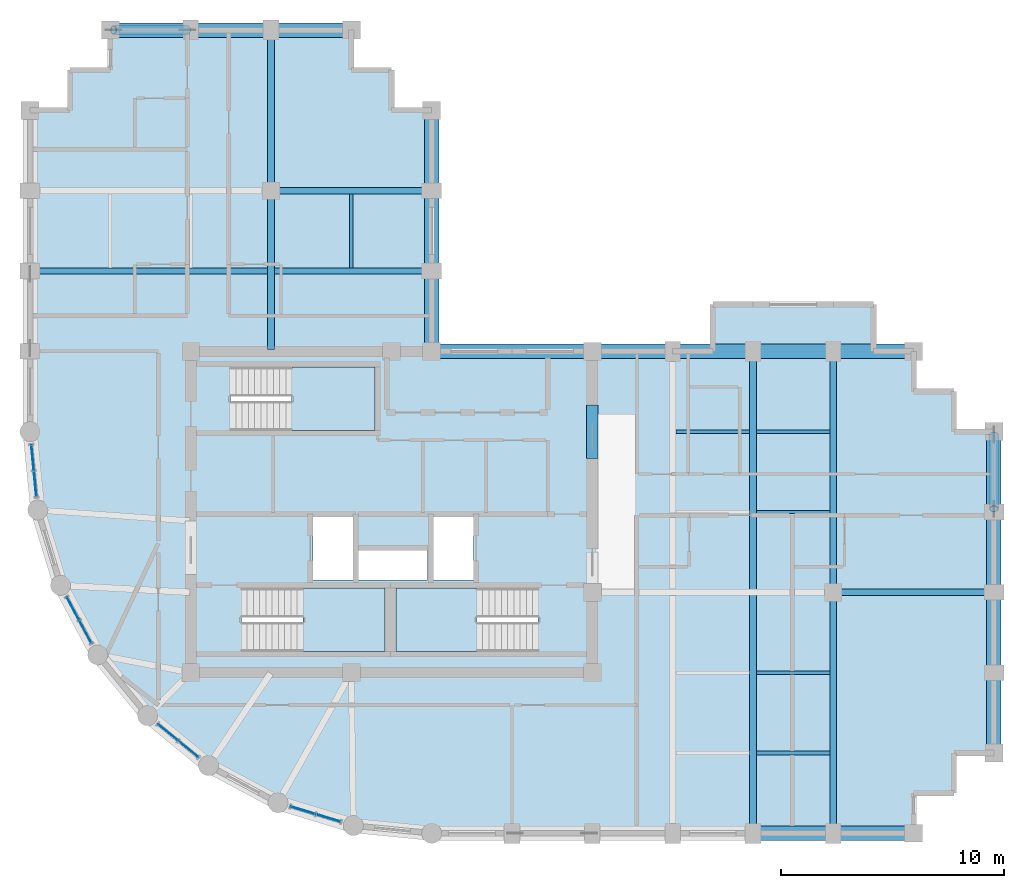
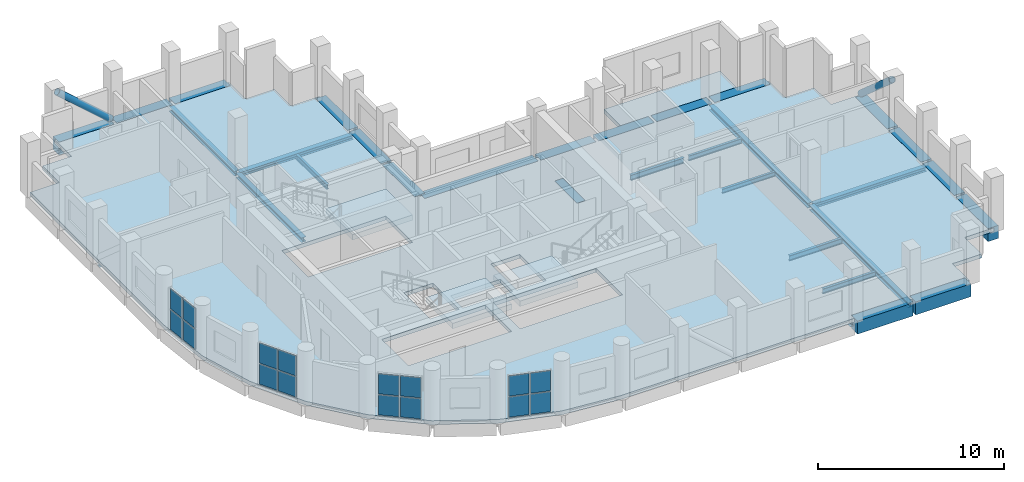
# One storey, part 6 of 11: 32 beams, 16 plates, 4 slabs, 2 members, 7 elements without a shape of their own.
"""IFC4 building model written with IfcOpenShell, lengths in metres."""

from ifc_helpers import new_model, si_unit, direction, frame, origin, origin_2d, place, context, subcontext, project, spatial, polyline, rectangle, hollow_circle, i_section, outline, extrude, material, layer, layer_set, material_profile, profile_set, type_object, element, aggregate, save


model = new_model("IFC4")

# Units and contexts
model_context = context("Model", 3, precision=1e-05, world=origin(), true_north=direction((0.0, 1.0)))
body_context = subcontext(model_context, "Body", "Model", "MODEL_VIEW")
ifc_project = project(units=[si_unit("LENGTHUNIT", "METRE"), si_unit("AREAUNIT", "SQUARE_METRE"), si_unit("VOLUMEUNIT", "CUBIC_METRE"), si_unit("PLANEANGLEUNIT", "RADIAN"), si_unit("MASSUNIT", "GRAM", prefix="KILO")], contexts=[model_context])

# Site, building, storey
site_placement = place(None, origin())
site = spatial("IfcSite", under=ifc_project, at=site_placement, CompositionType="ELEMENT")
building_placement = place(site_placement, origin())
building = spatial("IfcBuilding", under=site, at=building_placement, Name="Solnavia Interchange Tower", CompositionType="ELEMENT")
storey_placement = place(building_placement, frame((0.0, 0.0, 217.39990234375)))
storey = spatial("IfcBuildingStorey", under=building, at=storey_placement, Name="L54", CompositionType="ELEMENT", Elevation=217.39990234375)

# Beams
ifc_material_1 = material(Name="Concrete C50/60", Category="concrete")
ifc_material_profile_1 = material_profile(ifc_material_1, rectangle(XDim=0.5, YDim=0.800048828125, at=origin_2d()), Name="RC 500x800")
ifc_profile_set_1 = profile_set([ifc_material_profile_1], Name="Concrete C50/60")
beam_type_1 = type_object("IfcBeamType", Name="Beam-Coupling-RC500x800", PredefinedType="LINTEL", material=ifc_profile_set_1)
beam_1_placement = place(storey_placement, frame((32.39990234375, 20.39990234375, -0.39990234375), z_axis=(0.0, 1.0, 0.0), x_axis=(-1.0, 0.0, 0.0)))
element("IfcBeam", 1, at=beam_1_placement, inside=storey, type_object=beam_type_1, Name="CPB-L54-E2 Core coupling lintel beam", PredefinedType="LINTEL", context=body_context, shape_type="SweptSolid", body=[
    extrude(rectangle(XDim=0.5, YDim=0.800048828125, at=origin_2d()), origin(), (0.0, 0.0, 1.0), 2.400146484375),
])
ifc_material_2 = material(Name="Steel S460", Category="steel")
ifc_material_profile_2 = material_profile(ifc_material_2, i_section(OverallWidth=0.300048828125, OverallDepth=0.300048828125, WebThickness=0.010986328125, FlangeThickness=0.01904296875, FilletRadius=0.027099609375, at=origin_2d()), Name="HEB 300")
ifc_profile_set_2 = profile_set([ifc_material_profile_2], Name="Steel S460")
beam_type_2 = type_object("IfcBeamType", Name="Beam-Girder-HEB300", PredefinedType="BEAM", material=ifc_profile_set_2)
beam_2_placement = place(storey_placement, frame((43.280029296875, 14.39990234375, -0.39990234375), z_axis=(1.0, 0.0, 0.0), x_axis=(0.0, 1.0, 0.0)))
element("IfcBeam", 2, at=beam_2_placement, inside=storey, type_object=beam_type_2, Name="GRD-L54-ES02 East wing spine girder", PredefinedType="BEAM", context=body_context, shape_type="SweptSolid", body=[
    extrude(i_section(OverallWidth=0.300048828125, OverallDepth=0.300048828125, WebThickness=0.010986328125, FlangeThickness=0.01904296875, FilletRadius=0.027099609375, at=origin_2d()), origin(), (0.0, 0.0, 1.0), 7.0400390625),
])
beam_3_placement = place(storey_placement, frame((39.60009765625, 3.679931640625, -0.39990234375), z_axis=(0.0, 1.0, 0.0), x_axis=(-1.0, 0.0, 0.0)))
element("IfcBeam", 3, at=beam_3_placement, inside=storey, type_object=beam_type_2, Name="GRD-L54-EW04 East wing primary floor girder", PredefinedType="BEAM", context=body_context, shape_type="SweptSolid", body=[
    extrude(i_section(OverallWidth=0.300048828125, OverallDepth=0.300048828125, WebThickness=0.010986328125, FlangeThickness=0.01904296875, FilletRadius=0.027099609375, at=origin_2d()), origin(), (0.0, 0.0, 1.0), 21.440185546875),
])
for number, where, z_axis, x_axis, name in (
    (4, (18.0, 25.280029296875, -0.39990234375), (0.0, 1.0, 0.0), (-1.0, 0.0, 0.0), "GRD-L54-NS07 North wing spine girder"),
    (5, (18.0, 32.47998046875, -0.39990234375), (0.0, 1.0, 0.0), (-1.0, 0.0, 0.0), "GRD-L54-NS08 North wing spine girder"),
    (6, (18.080078125, 32.39990234375, -0.39990234375), (1.0, 0.0, 0.0), (0.0, 1.0, 0.0), "GRD-L54-NW11 North wing primary floor girder"),
):
    element("IfcBeam", number, at=place(storey_placement, frame(where, z_axis=z_axis, x_axis=x_axis)), inside=storey, type_object=beam_type_2, Name=name, PredefinedType="BEAM", context=body_context, shape_type="SweptSolid", body=[
        extrude(i_section(OverallWidth=0.300048828125, OverallDepth=0.300048828125, WebThickness=0.010986328125, FlangeThickness=0.01904296875, FilletRadius=0.027099609375, at=origin_2d()), origin(), (0.0, 0.0, 1.0), 7.0400390625),
    ])
ifc_material_3 = material(Name="Steel S355", Category="steel")
ifc_material_profile_3 = material_profile(ifc_material_3, i_section(OverallWidth=0.14990234375, OverallDepth=0.300048828125, WebThickness=0.007080078125, FlangeThickness=0.0107421875, FilletRadius=0.014892578125, at=origin_2d()), Name="IPE 300")
ifc_profile_set_3 = profile_set([ifc_material_profile_3], Name="Steel S355")
beam_type_3 = type_object("IfcBeamType", Name="Beam-Joist-IPE300", PredefinedType="JOIST", material=ifc_profile_set_3)
beam_4_placement = place(storey_placement, frame((39.75, 18.0, -0.39990234375), z_axis=(1.0, 0.0, 0.0), x_axis=(0.0, 1.0, 0.0)))
element("IfcBeam", 7, at=beam_4_placement, inside=storey, type_object=beam_type_3, Name="JST-L54-E06 East wing secondary joist", PredefinedType="JOIST", context=body_context, shape_type="SweptSolid", body=[
    extrude(i_section(OverallWidth=0.14990234375, OverallDepth=0.300048828125, WebThickness=0.007080078125, FlangeThickness=0.0107421875, FilletRadius=0.014892578125, at=origin_2d()), origin(), (0.0, 0.0, 1.0), 3.300048828125),
])
ifc_material_profile_4 = material_profile(ifc_material_3, i_section(OverallWidth=0.159912109375, OverallDepth=0.330078125, WebThickness=0.007568359375, FlangeThickness=0.011474609375, FilletRadius=0.01806640625, at=origin_2d()), Name="IPE 330")
ifc_profile_set_4 = profile_set([ifc_material_profile_4], Name="Steel S355")
beam_type_4 = type_object("IfcBeamType", Name="Beam-Joist-IPE330", PredefinedType="JOIST", material=ifc_profile_set_4)
for number, where, z_axis, x_axis, name in (
    (8, (39.75, 7.199951171875, -0.414794921875), (1.0, 0.0, 0.0), (0.0, 1.0, 0.0), "JST-L54-E02 East wing secondary joist"),
    (9, (39.75, 21.60009765625, -0.414794921875), (1.0, 0.0, 0.0), (0.0, 1.0, 0.0), "JST-L54-E08 East wing secondary joist"),
):
    element("IfcBeam", number, at=place(storey_placement, frame(where, z_axis=z_axis, x_axis=x_axis)), inside=storey, type_object=beam_type_4, Name=name, PredefinedType="JOIST", context=body_context, shape_type="SweptSolid", body=[
        extrude(i_section(OverallWidth=0.159912109375, OverallDepth=0.330078125, WebThickness=0.007568359375, FlangeThickness=0.011474609375, FilletRadius=0.01806640625, at=origin_2d()), origin(), (0.0, 0.0, 1.0), 3.300048828125),
    ])
beam_5_placement = place(storey_placement, frame((21.60009765625, 28.93994140625, -0.414794921875), z_axis=(0.0, 1.0, 0.0), x_axis=(-1.0, 0.0, 0.0)))
element("IfcBeam", 10, at=beam_5_placement, inside=storey, type_object=beam_type_4, Name="JST-L54-N11 North wing secondary joist", PredefinedType="JOIST", context=body_context, shape_type="SweptSolid", body=[
    extrude(i_section(OverallWidth=0.159912109375, OverallDepth=0.330078125, WebThickness=0.007568359375, FlangeThickness=0.011474609375, FilletRadius=0.01806640625, at=origin_2d()), origin(), (0.0, 0.0, 1.0), 3.31005859375),
])
ifc_material_profile_5 = material_profile(ifc_material_3, i_section(OverallWidth=0.169921875, OverallDepth=0.360107421875, WebThickness=0.008056640625, FlangeThickness=0.0126953125, FilletRadius=0.01806640625, at=origin_2d()), Name="IPE 360")
ifc_profile_set_5 = profile_set([ifc_material_profile_5], Name="Steel S355")
beam_type_5 = type_object("IfcBeamType", Name="Beam-Joist-IPE360", PredefinedType="JOIST", material=ifc_profile_set_5)
beam_6_placement = place(storey_placement, frame((39.75, 10.800048828125, -0.429931640625), z_axis=(1.0, 0.0, 0.0), x_axis=(0.0, 1.0, 0.0)))
element("IfcBeam", 11, at=beam_6_placement, inside=storey, type_object=beam_type_5, Name="JST-L54-E04 East wing secondary joist", PredefinedType="JOIST", context=body_context, shape_type="SweptSolid", body=[
    extrude(i_section(OverallWidth=0.169921875, OverallDepth=0.360107421875, WebThickness=0.008056640625, FlangeThickness=0.0126953125, FilletRadius=0.01806640625, at=origin_2d()), origin(), (0.0, 0.0, 1.0), 3.300048828125),
])
beam_7_placement = place(storey_placement, frame((36.139892578125, 21.60009765625, -0.429931640625), z_axis=(1.0, 0.0, 0.0), x_axis=(0.0, 1.0, 0.0)))
element("IfcBeam", 12, at=beam_7_placement, inside=storey, type_object=beam_type_5, Name="JST-L54-E07 East wing secondary joist", PredefinedType="JOIST", context=body_context, shape_type="SweptSolid", body=[
    extrude(i_section(OverallWidth=0.169921875, OverallDepth=0.360107421875, WebThickness=0.008056640625, FlangeThickness=0.0126953125, FilletRadius=0.01806640625, at=origin_2d()), origin(), (0.0, 0.0, 1.0), 3.31005859375),
])
ifc_material_profile_6 = material_profile(ifc_material_3, i_section(OverallWidth=0.280029296875, OverallDepth=0.27001953125, WebThickness=0.008056640625, FlangeThickness=0.012939453125, FilletRadius=0.02392578125, at=origin_2d()), Name="HEA 280")
ifc_profile_set_6 = profile_set([ifc_material_profile_6], Name="Steel S355")
beam_type_6 = type_object("IfcBeamType", Name="Beam-Primary-HEA280", PredefinedType="BEAM", material=ifc_profile_set_6)
beam_8_placement = place(storey_placement, frame((7.280029296875, 28.800048828125, -0.385009765625), z_axis=(1.0, 0.0, 0.0), x_axis=(0.0, 1.0, 0.0)))
element("IfcBeam", 13, at=beam_8_placement, inside=storey, type_object=beam_type_6, Name="GRD-L54-NW09 North wing primary floor girder", PredefinedType="BEAM", context=body_context, shape_type="SweptSolid", body=[
    extrude(i_section(OverallWidth=0.280029296875, OverallDepth=0.27001953125, WebThickness=0.008056640625, FlangeThickness=0.012939453125, FilletRadius=0.02392578125, at=origin_2d()), origin(), (0.0, 0.0, 1.0), 17.840087890625),
])
ifc_material_profile_7 = material_profile(ifc_material_3, i_section(OverallWidth=0.300048828125, OverallDepth=0.31005859375, WebThickness=0.009033203125, FlangeThickness=0.015380859375, FilletRadius=0.027099609375, at=origin_2d()), Name="HEA 320")
ifc_profile_set_7 = profile_set([ifc_material_profile_7], Name="Steel S355")
beam_type_7 = type_object("IfcBeamType", Name="Beam-Primary-HEA320", PredefinedType="BEAM", material=ifc_profile_set_7)
for number, where, z_axis, x_axis, name in (
    (14, (43.199951171875, 3.679931640625, -0.40478515625), (0.0, 1.0, 0.0), (-1.0, 0.0, 0.0), "GRD-L54-EW05 East wing primary floor girder"),
    (15, (43.199951171875, 14.47998046875, -0.40478515625), (0.0, 1.0, 0.0), (-1.0, 0.0, 0.0), "GRD-L54-EW06 East wing primary floor girder"),
):
    element("IfcBeam", number, at=place(storey_placement, frame(where, z_axis=z_axis, x_axis=x_axis)), inside=storey, type_object=beam_type_7, Name=name, PredefinedType="BEAM", context=body_context, shape_type="SweptSolid", body=[
        extrude(i_section(OverallWidth=0.300048828125, OverallDepth=0.31005859375, WebThickness=0.009033203125, FlangeThickness=0.015380859375, FilletRadius=0.027099609375, at=origin_2d()), origin(), (0.0, 0.0, 1.0), 10.64013671875),
    ])
ifc_material_profile_8 = material_profile(ifc_material_1, rectangle(XDim=0.64990234375, YDim=0.85009765625, at=origin_2d()), Name="RC 650x850")
ifc_profile_set_8 = profile_set([ifc_material_profile_8], Name="Concrete C50/60")
beam_type_8 = type_object("IfcBeamType", Name="Beam-Spandrel-RC650x850", PredefinedType="SPANDREL", material=ifc_profile_set_8)
beam_9_placement = place(storey_placement, frame((39.679931640625, 3.60009765625, -0.4248046875), z_axis=(1.0, 0.0, 0.0), x_axis=(0.0, 1.0, 0.0)))
element("IfcBeam", 16, at=beam_9_placement, inside=storey, type_object=beam_type_8, Name="SPB-L54-13 Framed-tube perimeter spandrel beam", PredefinedType="SPANDREL", context=body_context, shape_type="SweptSolid", body=[
    extrude(rectangle(XDim=0.64990234375, YDim=0.85009765625, at=origin_2d()), origin(), (0.0, 0.0, 1.0), 3.440185546875),
])
for number, where, z_axis, x_axis, name in (
    (17, (43.280029296875, 3.60009765625, -0.4248046875), (1.0, 0.0, 0.0), (0.0, 1.0, 0.0), "SPB-L54-14 Framed-tube perimeter spandrel beam"),
    (18, (50.39990234375, 7.280029296875, -0.4248046875), (0.0, 1.0, 0.0), (-1.0, 0.0, 0.0), "SPB-L54-15 Framed-tube perimeter spandrel beam"),
):
    element("IfcBeam", number, at=place(storey_placement, frame(where, z_axis=z_axis, x_axis=x_axis)), inside=storey, type_object=beam_type_8, Name=name, PredefinedType="SPANDREL", context=body_context, shape_type="SweptSolid", body=[
        extrude(rectangle(XDim=0.64990234375, YDim=0.85009765625, at=origin_2d()), origin(), (0.0, 0.0, 1.0), 3.43994140625),
    ])
beam_10_placement = place(storey_placement, frame((50.39990234375, 10.8798828125, -0.4248046875), z_axis=(0.0, 1.0, 0.0), x_axis=(-1.0, 0.0, 0.0)))
element("IfcBeam", 19, at=beam_10_placement, inside=storey, type_object=beam_type_8, Name="SPB-L54-16 Framed-tube perimeter spandrel beam", PredefinedType="SPANDREL", context=body_context, shape_type="SweptSolid", body=[
    extrude(rectangle(XDim=0.64990234375, YDim=0.85009765625, at=origin_2d()), origin(), (0.0, 0.0, 1.0), 3.440185546875),
])
for number, where, z_axis, x_axis, name in (
    (20, (50.39990234375, 14.47998046875, -0.4248046875), (0.0, 1.0, 0.0), (-1.0, 0.0, 0.0), "SPB-L54-17 Framed-tube perimeter spandrel beam"),
    (21, (50.39990234375, 18.080078125, -0.4248046875), (0.0, 1.0, 0.0), (-1.0, 0.0, 0.0), "SPB-L54-18 Framed-tube perimeter spandrel beam"),
    (22, (46.719970703125, 25.199951171875, -0.4248046875), (-1.0, 0.0, 0.0), (0.0, -1.0, 0.0), "SPB-L54-19 Framed-tube perimeter spandrel beam"),
):
    element("IfcBeam", number, at=place(storey_placement, frame(where, z_axis=z_axis, x_axis=x_axis)), inside=storey, type_object=beam_type_8, Name=name, PredefinedType="SPANDREL", context=body_context, shape_type="SweptSolid", body=[
        extrude(rectangle(XDim=0.64990234375, YDim=0.85009765625, at=origin_2d()), origin(), (0.0, 0.0, 1.0), 3.43994140625),
    ])
beam_11_placement = place(storey_placement, frame((43.1201171875, 25.199951171875, -0.4248046875), z_axis=(-1.0, 0.0, 0.0), x_axis=(0.0, -1.0, 0.0)))
element("IfcBeam", 23, at=beam_11_placement, inside=storey, type_object=beam_type_8, Name="SPB-L54-20 Framed-tube perimeter spandrel beam", PredefinedType="SPANDREL", context=body_context, shape_type="SweptSolid", body=[
    extrude(rectangle(XDim=0.64990234375, YDim=0.85009765625, at=origin_2d()), origin(), (0.0, 0.0, 1.0), 3.440185546875),
])
for number, where, z_axis, x_axis, name in (
    (24, (39.52001953125, 25.199951171875, -0.4248046875), (-1.0, 0.0, 0.0), (0.0, -1.0, 0.0), "SPB-L54-21 Framed-tube perimeter spandrel beam"),
    (25, (35.919921875, 25.199951171875, -0.4248046875), (-1.0, 0.0, 0.0), (0.0, -1.0, 0.0), "SPB-L54-22 Framed-tube perimeter spandrel beam"),
):
    element("IfcBeam", number, at=place(storey_placement, frame(where, z_axis=z_axis, x_axis=x_axis)), inside=storey, type_object=beam_type_8, Name=name, PredefinedType="SPANDREL", context=body_context, shape_type="SweptSolid", body=[
        extrude(rectangle(XDim=0.64990234375, YDim=0.85009765625, at=origin_2d()), origin(), (0.0, 0.0, 1.0), 3.43994140625),
    ])
beam_12_placement = place(storey_placement, frame((32.320068359375, 25.199951171875, -0.4248046875), z_axis=(-1.0, 0.0, 0.0), x_axis=(0.0, -1.0, 0.0)))
element("IfcBeam", 26, at=beam_12_placement, inside=storey, type_object=beam_type_8, Name="SPB-L54-23 Framed-tube perimeter spandrel beam", PredefinedType="SPANDREL", context=body_context, shape_type="SweptSolid", body=[
    extrude(rectangle(XDim=0.64990234375, YDim=0.85009765625, at=origin_2d()), origin(), (0.0, 0.0, 1.0), 7.0400390625),
])
beam_13_placement = place(storey_placement, frame((25.199951171875, 25.280029296875, -0.4248046875), z_axis=(0.0, 1.0, 0.0), x_axis=(-1.0, 0.0, 0.0)))
element("IfcBeam", 27, at=beam_13_placement, inside=storey, type_object=beam_type_8, Name="SPB-L54-24 Framed-tube perimeter spandrel beam", PredefinedType="SPANDREL", context=body_context, shape_type="SweptSolid", body=[
    extrude(rectangle(XDim=0.64990234375, YDim=0.85009765625, at=origin_2d()), origin(), (0.0, 0.0, 1.0), 3.43994140625),
])
beam_14_placement = place(storey_placement, frame((25.199951171875, 28.8798828125, -0.4248046875), z_axis=(0.0, 1.0, 0.0), x_axis=(-1.0, 0.0, 0.0)))
element("IfcBeam", 28, at=beam_14_placement, inside=storey, type_object=beam_type_8, Name="SPB-L54-25 Framed-tube perimeter spandrel beam", PredefinedType="SPANDREL", context=body_context, shape_type="SweptSolid", body=[
    extrude(rectangle(XDim=0.64990234375, YDim=0.85009765625, at=origin_2d()), origin(), (0.0, 0.0, 1.0), 3.440185546875),
])
for number, where, z_axis, x_axis, name in (
    (29, (25.199951171875, 32.47998046875, -0.4248046875), (0.0, 1.0, 0.0), (-1.0, 0.0, 0.0), "SPB-L54-26 Framed-tube perimeter spandrel beam"),
    (30, (21.52001953125, 39.60009765625, -0.4248046875), (-1.0, 0.0, 0.0), (0.0, -1.0, 0.0), "SPB-L54-27 Framed-tube perimeter spandrel beam"),
    (31, (17.919921875, 39.60009765625, -0.4248046875), (-1.0, 0.0, 0.0), (0.0, -1.0, 0.0), "SPB-L54-28 Framed-tube perimeter spandrel beam"),
):
    element("IfcBeam", number, at=place(storey_placement, frame(where, z_axis=z_axis, x_axis=x_axis)), inside=storey, type_object=beam_type_8, Name=name, PredefinedType="SPANDREL", context=body_context, shape_type="SweptSolid", body=[
        extrude(rectangle(XDim=0.64990234375, YDim=0.85009765625, at=origin_2d()), origin(), (0.0, 0.0, 1.0), 3.43994140625),
    ])
beam_15_placement = place(storey_placement, frame((14.320068359375, 39.60009765625, -0.4248046875), z_axis=(-1.0, 0.0, 0.0), x_axis=(0.0, -1.0, 0.0)))
element("IfcBeam", 32, at=beam_15_placement, inside=storey, type_object=beam_type_8, Name="SPB-L54-29 Framed-tube perimeter spandrel beam", PredefinedType="SPANDREL", context=body_context, shape_type="SweptSolid", body=[
    extrude(rectangle(XDim=0.64990234375, YDim=0.85009765625, at=origin_2d()), origin(), (0.0, 0.0, 1.0), 3.440185546875),
])

# Members
ifc_material_profile_9 = material_profile(ifc_material_2, hollow_circle(Radius=0.203125, WallThickness=0.02001953125, at=origin_2d()), Name="CHS 406.4x20")
ifc_profile_set_9 = profile_set([ifc_material_profile_9], Name="Steel S460")
member_type = type_object("IfcMemberType", Name="Brace-Perim-CHS406", PredefinedType="BRACE", material=ifc_profile_set_9)
for number, where, z_axis, x_axis, name in (
    (33, (50.39990234375, 21.4599609375, 0.18017578125), (0.0, -0.750908464718, 0.660406297377), (1.0, 0.0, 0.0), "BRC-L54-03 Perimeter tube diagonal brace"),
    (34, (14.260009765625, 39.60009765625, 0.18017578125), (-0.750908464718, 0.0, 0.660406297377), (0.0, -1.0, 0.0), "BRC-L54-04 Perimeter tube diagonal brace"),
):
    element("IfcMember", number, at=place(storey_placement, frame(where, z_axis=z_axis, x_axis=x_axis)), inside=storey, type_object=member_type, Name=name, PredefinedType="BRACE", context=body_context, shape_type="SweptSolid", body=[
        extrude(hollow_circle(Radius=0.203125, WallThickness=0.02001953125, at=origin_2d()), origin(), (0.0, 0.0, 1.0), 4.42138671875),
    ])

# Curtain wall, plates
ifc_material_4 = material(Name="Aluminium Alloy 6063-T6", Category="aluminium")
ifc_layer_1 = layer(ifc_material_4, 0.239990234375)
ifc_layer_set_1 = layer_set([ifc_layer_1], Name="Aluminium Alloy 6063-T6")
curtain_wall_type = type_object("IfcCurtainWallType", Name="CurtainWall-Drum-CTW2", PredefinedType="NOTDEFINED", material=ifc_layer_set_1)
curtain_wall_1_placement = place(storey_placement, origin())
curtain_wall_1 = element("IfcCurtainWall", 35, at=curtain_wall_1_placement, inside=storey, type_object=curtain_wall_type, Name="CTW-L54-D47 CTW-2 curtain wall", PredefinedType="NOTDEFINED")
ifc_material_5 = material(Name="Double-Glazed Low-E IGU Glass", Category="glass")
ifc_layer_2 = layer(ifc_material_5, 0.031982421875)
ifc_layer_set_2 = layer_set([ifc_layer_2], Name="Double-Glazed Low-E IGU Glass")
plate_type = type_object("IfcPlateType", Name="CW-Panel-Solar-32", PredefinedType="CURTAIN_PANEL", material=ifc_layer_set_2)
plate_1_placement = place(storey_placement, frame((7.314697265625, 20.435791015625, 0.065185546875), z_axis=(0.0, 0.0, 1.0), x_axis=(0.098043088306, -0.995182170678, 0.0)))
plate_1 = element("IfcPlate", 36, at=plate_1_placement, type_object=plate_type, Name="CTW-2 panel 1.1", PredefinedType="CURTAIN_PANEL", context=body_context, shape_type="SweptSolid", body=[
    extrude(rectangle(XDim=1.114501953125, YDim=0.031982421875, at=origin_2d()), origin(), (0.0, 0.0, 1.0), 1.3173828125),
])
plate_2_placement = place(storey_placement, frame((7.314697265625, 20.435791015625, 1.44775390625), z_axis=(0.0, 0.0, 1.0), x_axis=(0.098043088306, -0.995182170678, 0.0)))
plate_2 = element("IfcPlate", 37, at=plate_2_placement, type_object=plate_type, Name="CTW-2 panel 1.2", PredefinedType="CURTAIN_PANEL", context=body_context, shape_type="SweptSolid", body=[
    extrude(rectangle(XDim=1.114501953125, YDim=0.031982421875, at=origin_2d()), origin(), (0.0, 0.0, 1.0), 1.3173828125),
])
plate_3_placement = place(storey_placement, frame((7.431396484375, 19.252197265625, 0.065185546875), z_axis=(0.0, 0.0, 1.0), x_axis=(0.098043088306, -0.995182170678, 0.0)))
plate_3 = element("IfcPlate", 38, at=plate_3_placement, type_object=plate_type, Name="CTW-2 panel 2.1", PredefinedType="CURTAIN_PANEL", context=body_context, shape_type="SweptSolid", body=[
    extrude(rectangle(XDim=1.114501953125, YDim=0.031982421875, at=origin_2d()), origin(), (0.0, 0.0, 1.0), 1.3173828125),
])
plate_4_placement = place(storey_placement, frame((7.431396484375, 19.252197265625, 1.44775390625), z_axis=(0.0, 0.0, 1.0), x_axis=(0.098043088306, -0.995182170678, 0.0)))
plate_4 = element("IfcPlate", 39, at=plate_4_placement, type_object=plate_type, Name="CTW-2 panel 2.2", PredefinedType="CURTAIN_PANEL", context=body_context, shape_type="SweptSolid", body=[
    extrude(rectangle(XDim=1.114501953125, YDim=0.031982421875, at=origin_2d()), origin(), (0.0, 0.0, 1.0), 1.3173828125),
])
aggregate(curtain_wall_1, [plate_1, plate_2, plate_3, plate_4])

curtain_wall_2_placement = place(storey_placement, origin())
curtain_wall_2 = element("IfcCurtainWall", 40, at=curtain_wall_2_placement, inside=storey, type_object=curtain_wall_type, Name="CTW-L54-D49 CTW-2 curtain wall", PredefinedType="NOTDEFINED")
plate_5_placement = place(storey_placement, frame((9.12158203125, 13.680419921875, 0.065185546875), z_axis=(0.0, 0.0, 1.0), x_axis=(0.471560876964, -0.881833509976, 0.0)))
plate_5 = element("IfcPlate", 41, at=plate_5_placement, type_object=plate_type, Name="CTW-2 panel 1.1", PredefinedType="CURTAIN_PANEL", context=body_context, shape_type="SweptSolid", body=[
    extrude(rectangle(XDim=1.114501953125, YDim=0.031982421875, at=origin_2d()), origin(), (0.0, 0.0, 1.0), 1.3173828125),
])
plate_6_placement = place(storey_placement, frame((9.12158203125, 13.680419921875, 1.44775390625), z_axis=(0.0, 0.0, 1.0), x_axis=(0.471560876964, -0.881833509976, 0.0)))
plate_6 = element("IfcPlate", 42, at=plate_6_placement, type_object=plate_type, Name="CTW-2 panel 1.2", PredefinedType="CURTAIN_PANEL", context=body_context, shape_type="SweptSolid", body=[
    extrude(rectangle(XDim=1.114501953125, YDim=0.031982421875, at=origin_2d()), origin(), (0.0, 0.0, 1.0), 1.3173828125),
])
plate_7_placement = place(storey_placement, frame((9.682373046875, 12.631591796875, 0.065185546875), z_axis=(0.0, 0.0, 1.0), x_axis=(0.471560876964, -0.881833509976, 0.0)))
plate_7 = element("IfcPlate", 43, at=plate_7_placement, type_object=plate_type, Name="CTW-2 panel 2.1", PredefinedType="CURTAIN_PANEL", context=body_context, shape_type="SweptSolid", body=[
    extrude(rectangle(XDim=1.114501953125, YDim=0.031982421875, at=origin_2d()), origin(), (0.0, 0.0, 1.0), 1.3173828125),
])
plate_8_placement = place(storey_placement, frame((9.682373046875, 12.631591796875, 1.44775390625), z_axis=(0.0, 0.0, 1.0), x_axis=(0.471560876964, -0.881833509976, 0.0)))
plate_8 = element("IfcPlate", 44, at=plate_8_placement, type_object=plate_type, Name="CTW-2 panel 2.2", PredefinedType="CURTAIN_PANEL", context=body_context, shape_type="SweptSolid", body=[
    extrude(rectangle(XDim=1.114501953125, YDim=0.031982421875, at=origin_2d()), origin(), (0.0, 0.0, 1.0), 1.3173828125),
])
aggregate(curtain_wall_2, [plate_5, plate_6, plate_7, plate_8])

curtain_wall_3_placement = place(storey_placement, origin())
curtain_wall_3 = element("IfcCurtainWall", 45, at=curtain_wall_3_placement, inside=storey, type_object=curtain_wall_type, Name="CTW-L54-D51 CTW-2 curtain wall", PredefinedType="NOTDEFINED")
plate_9_placement = place(storey_placement, frame((13.376220703125, 8.130126953125, 0.065185546875), z_axis=(0.0, 0.0, 1.0), x_axis=(0.773103093557, -0.634280384951, 0.0)))
plate_9 = element("IfcPlate", 46, at=plate_9_placement, type_object=plate_type, Name="CTW-2 panel 1.1", PredefinedType="CURTAIN_PANEL", context=body_context, shape_type="SweptSolid", body=[
    extrude(rectangle(XDim=1.1142578125, YDim=0.031982421875, at=origin_2d()), origin(), (0.0, 0.0, 1.0), 1.3173828125),
])
plate_10_placement = place(storey_placement, frame((13.376220703125, 8.130126953125, 1.44775390625), z_axis=(0.0, 0.0, 1.0), x_axis=(0.773103093557, -0.634280384951, 0.0)))
plate_10 = element("IfcPlate", 47, at=plate_10_placement, type_object=plate_type, Name="CTW-2 panel 1.2", PredefinedType="CURTAIN_PANEL", context=body_context, shape_type="SweptSolid", body=[
    extrude(rectangle(XDim=1.1142578125, YDim=0.031982421875, at=origin_2d()), origin(), (0.0, 0.0, 1.0), 1.3173828125),
])
plate_11_placement = place(storey_placement, frame((14.295654296875, 7.375732421875, 0.065185546875), z_axis=(0.0, 0.0, 1.0), x_axis=(0.773103093557, -0.634280384951, 0.0)))
plate_11 = element("IfcPlate", 48, at=plate_11_placement, type_object=plate_type, Name="CTW-2 panel 2.1", PredefinedType="CURTAIN_PANEL", context=body_context, shape_type="SweptSolid", body=[
    extrude(rectangle(XDim=1.1142578125, YDim=0.031982421875, at=origin_2d()), origin(), (0.0, 0.0, 1.0), 1.3173828125),
])
plate_12_placement = place(storey_placement, frame((14.295654296875, 7.375732421875, 1.44775390625), z_axis=(0.0, 0.0, 1.0), x_axis=(0.773103093557, -0.634280384951, 0.0)))
plate_12 = element("IfcPlate", 49, at=plate_12_placement, type_object=plate_type, Name="CTW-2 panel 2.2", PredefinedType="CURTAIN_PANEL", context=body_context, shape_type="SweptSolid", body=[
    extrude(rectangle(XDim=1.1142578125, YDim=0.031982421875, at=origin_2d()), origin(), (0.0, 0.0, 1.0), 1.3173828125),
])
aggregate(curtain_wall_3, [plate_9, plate_10, plate_11, plate_12])

curtain_wall_4_placement = place(storey_placement, origin())
curtain_wall_4 = element("IfcCurtainWall", 50, at=curtain_wall_4_placement, inside=storey, type_object=curtain_wall_type, Name="CTW-L54-D53 CTW-2 curtain wall", PredefinedType="NOTDEFINED")
plate_13_placement = place(storey_placement, frame((19.43115234375, 4.630615234375, 0.065185546875), z_axis=(0.0, 0.0, 1.0), x_axis=(0.956942072515, -0.290278951786, 0.0)))
plate_13 = element("IfcPlate", 51, at=plate_13_placement, type_object=plate_type, Name="CTW-2 panel 1.1", PredefinedType="CURTAIN_PANEL", context=body_context, shape_type="SweptSolid", body=[
    extrude(rectangle(XDim=1.114013671875, YDim=0.031982421875, at=origin_2d()), origin(), (0.0, 0.0, 1.0), 1.3173828125),
])
plate_14_placement = place(storey_placement, frame((19.43115234375, 4.630615234375, 1.44775390625), z_axis=(0.0, 0.0, 1.0), x_axis=(0.956942072515, -0.290278951786, 0.0)))
plate_14 = element("IfcPlate", 52, at=plate_14_placement, type_object=plate_type, Name="CTW-2 panel 1.2", PredefinedType="CURTAIN_PANEL", context=body_context, shape_type="SweptSolid", body=[
    extrude(rectangle(XDim=1.114013671875, YDim=0.031982421875, at=origin_2d()), origin(), (0.0, 0.0, 1.0), 1.3173828125),
])
plate_15_placement = place(storey_placement, frame((20.56884765625, 4.285400390625, 0.065185546875), z_axis=(0.0, 0.0, 1.0), x_axis=(0.956942072515, -0.290278951786, 0.0)))
plate_15 = element("IfcPlate", 53, at=plate_15_placement, type_object=plate_type, Name="CTW-2 panel 2.1", PredefinedType="CURTAIN_PANEL", context=body_context, shape_type="SweptSolid", body=[
    extrude(rectangle(XDim=1.114013671875, YDim=0.031982421875, at=origin_2d()), origin(), (0.0, 0.0, 1.0), 1.3173828125),
])
plate_16_placement = place(storey_placement, frame((20.56884765625, 4.285400390625, 1.44775390625), z_axis=(0.0, 0.0, 1.0), x_axis=(0.956942072515, -0.290278951786, 0.0)))
plate_16 = element("IfcPlate", 54, at=plate_16_placement, type_object=plate_type, Name="CTW-2 panel 2.2", PredefinedType="CURTAIN_PANEL", context=body_context, shape_type="SweptSolid", body=[
    extrude(rectangle(XDim=1.114013671875, YDim=0.031982421875, at=origin_2d()), origin(), (0.0, 0.0, 1.0), 1.3173828125),
])
aggregate(curtain_wall_4, [plate_13, plate_14, plate_15, plate_16])

# Stair, slab
ifc_material_6 = material(Name="Concrete C40/50", Category="concrete")
stair_type = type_object("IfcStairType", Name="Stair-Dogleg-RC", PredefinedType="HALF_TURN_STAIR", material=ifc_material_6)
stair_1_placement = place(storey_placement, origin())
stair_1 = element("IfcStair", 55, at=stair_1_placement, inside=storey, type_object=stair_type, Name="L54 Core exit stair 1", PredefinedType="HALF_TURN_STAIR")
ifc_layer_3 = layer(ifc_material_6, 0.35009765625)
ifc_layer_set_3 = layer_set([ifc_layer_3], Name="Concrete C40/50")
slab_type_1 = type_object("IfcSlabType", Name="Slab-StairLanding-350", PredefinedType="LANDING", material=ifc_layer_set_3)
slab_1_placement = place(storey_placement, frame((0.0, 0.0, 1.4501953125)))
slab_1 = element("IfcSlab", 56, at=slab_1_placement, type_object=slab_type_1, Name="ST-1 landing 1", PredefinedType="LANDING", context=body_context, shape_type="SweptSolid", body=[
    extrude(outline(polyline([(19.427978515625, 11.75), (23.10009765625, 11.75), (23.10009765625, 14.590087890625), (19.427978515625, 14.590087890625), (19.427978515625, 11.75)])), origin(), (0.0, 0.0, 1.0), 0.349853515625),
])
aggregate(stair_1, [slab_1])

stair_2_placement = place(storey_placement, origin())
stair_2 = element("IfcStair", 57, at=stair_2_placement, inside=storey, type_object=stair_type, Name="L54 Core exit stair 2", PredefinedType="HALF_TURN_STAIR")
slab_2_placement = place(storey_placement, frame((0.0, 0.0, 1.4501953125)))
slab_2 = element("IfcSlab", 58, at=slab_2_placement, type_object=slab_type_1, Name="ST-2 landing 1", PredefinedType="LANDING", context=body_context, shape_type="SweptSolid", body=[
    extrude(outline(polyline([(23.60009765625, 11.75), (27.221923828125, 11.75), (27.221923828125, 14.590087890625), (23.60009765625, 14.590087890625), (23.60009765625, 11.75)])), origin(), (0.0, 0.0, 1.0), 0.349853515625),
])
aggregate(stair_2, [slab_2])

stair_3_placement = place(storey_placement, origin())
stair_3 = element("IfcStair", 59, at=stair_3_placement, inside=storey, type_object=stair_type, Name="L54 Core exit stair 3", PredefinedType="HALF_TURN_STAIR")
slab_3_placement = place(storey_placement, frame((0.0, 0.0, 1.4501953125)))
slab_3 = element("IfcSlab", 60, at=slab_3_placement, type_object=slab_type_1, Name="ST-3 landing 1", PredefinedType="LANDING", context=body_context, shape_type="SweptSolid", body=[
    extrude(outline(polyline([(18.927978515625, 21.64990234375), (22.64990234375, 21.64990234375), (22.64990234375, 24.489990234375), (18.927978515625, 24.489990234375), (18.927978515625, 21.64990234375)])), origin(), (0.0, 0.0, 1.0), 0.349853515625),
])
aggregate(stair_3, [slab_3])

# Slab
ifc_layer_4 = layer(ifc_material_6, 0.25)
ifc_layer_set_4 = layer_set([ifc_layer_4], Name="Concrete C40/50")
slab_type_2 = type_object("IfcSlabType", Name="Slab-Tower-250", PredefinedType="FLOOR", material=ifc_layer_set_4)
slab_4_placement = place(storey_placement, frame((0.0, 0.0, -0.25)))
element("IfcSlab", 61, at=slab_4_placement, inside=storey, type_object=slab_type_2, Name="SLB-L54-01 Structural floor slab", PredefinedType="FLOOR", context=body_context, shape_type="SweptSolid", body=[
    extrude(outline(polyline([(25.199951171875, 3.60009765625), (46.800048828125, 3.60009765625), (46.800048828125, 5.39990234375), (48.60009765625, 5.39990234375), (48.60009765625, 7.199951171875), (50.39990234375, 7.199951171875), (50.39990234375, 21.60009765625), (48.60009765625, 21.60009765625), (48.60009765625, 23.39990234375), (46.800048828125, 23.39990234375), (46.800048828125, 25.199951171875), (45.0, 25.199951171875), (45.0, 27.300048828125), (37.800048828125, 27.300048828125), (37.800048828125, 25.199951171875), (25.199951171875, 25.199951171875), (25.199951171875, 36.0), (23.39990234375, 36.0), (23.39990234375, 37.800048828125), (21.60009765625, 37.800048828125), (21.60009765625, 39.60009765625), (10.800048828125, 39.60009765625), (10.800048828125, 37.800048828125), (9.0, 37.800048828125), (9.0, 36.0), (7.199951171875, 36.0), (7.199951171875, 21.60009765625), (7.5458984375, 18.087890625), (8.570068359375, 14.7119140625), (10.23388671875, 11.60009765625), (12.471923828125, 8.8720703125), (15.199951171875, 6.634033203125), (18.31201171875, 4.969970703125), (21.68798828125, 3.946044921875), (25.199951171875, 3.60009765625)]), holes=[polyline([(16.675048828125, 11.75), (23.10009765625, 11.75), (23.10009765625, 14.590087890625), (16.675048828125, 14.590087890625), (16.675048828125, 11.75)]), polyline([(23.60009765625, 11.75), (29.97509765625, 11.75), (29.97509765625, 14.590087890625), (23.60009765625, 14.590087890625), (23.60009765625, 11.75)]), polyline([(16.175048828125, 21.64990234375), (22.64990234375, 21.64990234375), (22.64990234375, 24.489990234375), (16.175048828125, 24.489990234375), (16.175048828125, 21.64990234375)]), polyline([(19.8798828125, 14.9599609375), (21.679931640625, 14.9599609375), (21.679931640625, 17.780029296875), (19.8798828125, 17.780029296875), (19.8798828125, 14.9599609375)]), polyline([(25.280029296875, 14.9599609375), (27.080078125, 14.9599609375), (27.080078125, 17.780029296875), (25.280029296875, 17.780029296875), (25.280029296875, 14.9599609375)]), polyline([(21.919921875, 14.9599609375), (25.02001953125, 14.9599609375), (25.02001953125, 16.280029296875), (21.919921875, 16.280029296875), (21.919921875, 14.9599609375)])]), origin(), (0.0, 0.0, 1.0), 0.25),
])

save(model, "model.ifc")
